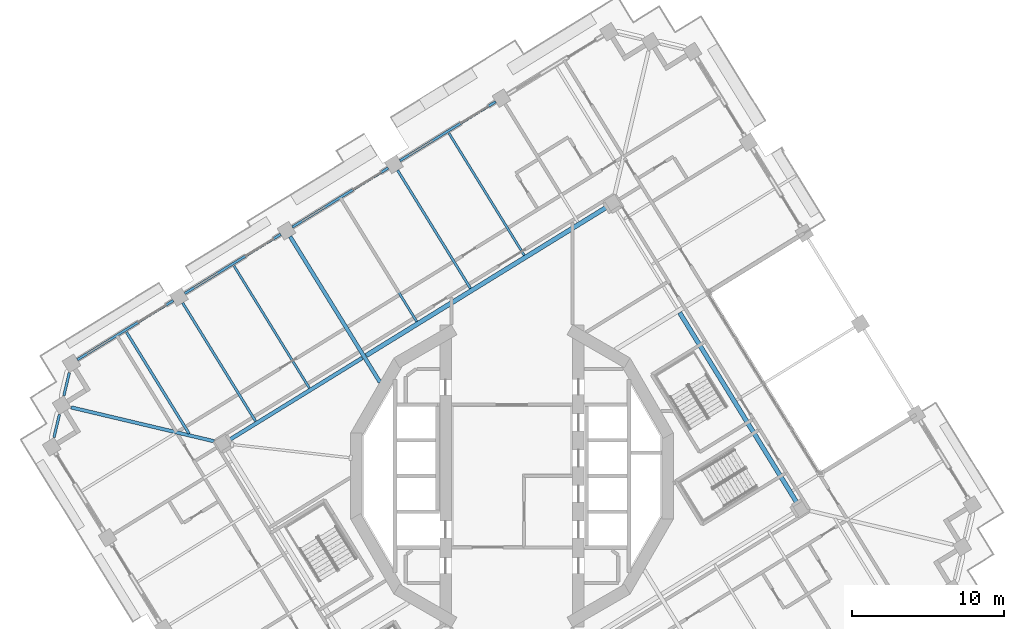
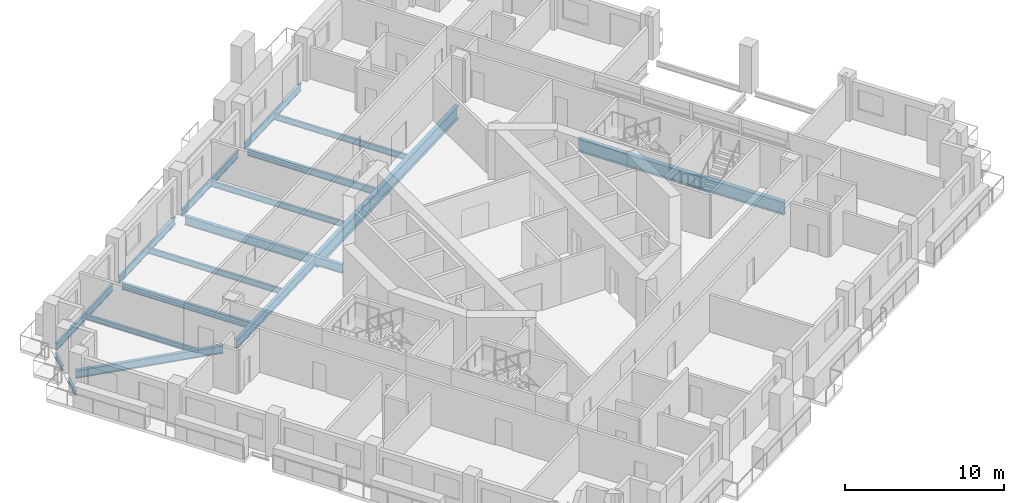
# One storey, part 3 of 21: 17 beams.
"""IFC4 building model written with IfcOpenShell, lengths in metres."""

from ifc_helpers import new_model, si_unit, direction, frame, origin, origin_2d, place, context, subcontext, project, spatial, i_section, extrude, material, material_profile, profile_set, type_object, element, save


model = new_model("IFC4")

# Units and contexts
model_context = context("Model", 3, precision=1e-05, world=origin(), true_north=direction((0.0, 1.0)))
body_context = subcontext(model_context, "Body", "Model", "MODEL_VIEW")
ifc_project = project(units=[si_unit("LENGTHUNIT", "METRE"), si_unit("AREAUNIT", "SQUARE_METRE"), si_unit("VOLUMEUNIT", "CUBIC_METRE"), si_unit("PLANEANGLEUNIT", "RADIAN"), si_unit("MASSUNIT", "GRAM", prefix="KILO")], contexts=[model_context])

# Site, building, storey
site_placement = place(None, origin())
site = spatial("IfcSite", under=ifc_project, at=site_placement, CompositionType="ELEMENT")
building_placement = place(site_placement, origin())
building = spatial("IfcBuilding", under=site, at=building_placement, Name="Cantera Rosa Tower", CompositionType="ELEMENT")
storey_placement = place(building_placement, frame((0.0, 0.0, 185.60009765625)))
storey = spatial("IfcBuildingStorey", under=building, at=storey_placement, Name="L41", CompositionType="ELEMENT", Elevation=185.60009765625)

# Beams
ifc_material_1 = material(Name="Steel ASTM A992 (Fy 345 MPa)", Category="steel")
ifc_material_profile_1 = material_profile(ifc_material_1, i_section(OverallWidth=0.300048828125, OverallDepth=0.990966796875, WebThickness=0.0166015625, FlangeThickness=0.030517578125, FilletRadius=0.030029296875, at=origin_2d()), Name="W1000X272")
ifc_profile_set_1 = profile_set([ifc_material_profile_1], Name="Steel ASTM A992 (Fy 345 MPa)")
beam_type_1 = type_object("IfcBeamType", Name="STEEL BEAM W1000X272", PredefinedType="BEAM", material=ifc_profile_set_1)
beam_1_placement = place(storey_placement, frame((18.767822265625, -1.75927734375, -0.74560546875), z_axis=(-0.524974072618, 0.851118219215, 0.0), x_axis=(-0.851118219215, -0.524974072618, 0.0)))
element("IfcBeam", 1, at=beam_1_placement, inside=storey, type_object=beam_type_1, Name="RB-Z3-05 L41", PredefinedType="BEAM", context=body_context, shape_type="SweptSolid", body=[
    extrude(i_section(OverallWidth=0.300048828125, OverallDepth=0.990966796875, WebThickness=0.0166015625, FlangeThickness=0.030517578125, FilletRadius=0.030029296875, at=origin_2d()), origin(), (0.0, 0.0, 1.0), 14.7099609375),
])
ifc_material_2 = material(Name="Steel ASTM A992 (Fy 345 MPa)", Category="steel")
ifc_material_profile_2 = material_profile(ifc_material_2, i_section(OverallWidth=0.302001953125, OverallDepth=1.010009765625, WebThickness=0.02099609375, FlangeThickness=0.0400390625, FilletRadius=0.030029296875, at=origin_2d()), Name="W1000X350")
ifc_profile_set_2 = profile_set([ifc_material_profile_2], Name="Steel ASTM A992 (Fy 345 MPa)")
beam_type_2 = type_object("IfcBeamType", Name="STEEL BEAM W1000X350", PredefinedType="BEAM", material=ifc_profile_set_2)
beam_2_placement = place(storey_placement, frame((-9.607666015625, 7.93798828125, -0.755126953125), z_axis=(0.851118702028, 0.524973289852, 0.0), x_axis=(-0.524973289852, 0.851118702028, 0.0)))
element("IfcBeam", 2, at=beam_2_placement, inside=storey, type_object=beam_type_2, Name="RB-Z3-02 L41", PredefinedType="BEAM", context=body_context, shape_type="SweptSolid", body=[
    extrude(i_section(OverallWidth=0.302001953125, OverallDepth=1.010009765625, WebThickness=0.02099609375, FlangeThickness=0.0400390625, FilletRadius=0.030029296875, at=origin_2d()), origin(), (0.0, 0.0, 1.0), 18.610107421875),
])
ifc_material_3 = material(Name="Steel ASTM A992 (Fy 345 MPa)", Category="steel")
ifc_material_profile_3 = material_profile(ifc_material_3, i_section(OverallWidth=0.166015625, OverallDepth=0.528076171875, WebThickness=0.009765625, FlangeThickness=0.013671875, FilletRadius=0.0126953125, at=origin_2d()), Name="W530X74")
ifc_profile_set_3 = profile_set([ifc_material_profile_3], Name="Steel ASTM A992 (Fy 345 MPa)")
beam_type_3 = type_object("IfcBeamType", Name="STEEL BEAM W530X74", PredefinedType="BEAM", material=ifc_profile_set_3)
beam_3_placement = place(storey_placement, frame((-7.536376953125, 20.142578125, -0.51416015625), z_axis=(0.524965057427, -0.851123779764, 0.0), x_axis=(0.851123779764, 0.524965057427, 0.0)))
element("IfcBeam", 3, at=beam_3_placement, inside=storey, type_object=beam_type_3, Name="G-Z3-06 L41", PredefinedType="BEAM", context=body_context, shape_type="SweptSolid", body=[
    extrude(i_section(OverallWidth=0.166015625, OverallDepth=0.528076171875, WebThickness=0.009765625, FlangeThickness=0.013671875, FilletRadius=0.0126953125, at=origin_2d()), origin(), (0.0, 0.0, 1.0), 9.150146484375),
])
beam_4_placement = place(storey_placement, frame((-21.698974609375, 11.40673828125, -0.51416015625), z_axis=(0.524976979362, -0.851116426313, 0.0), x_axis=(0.851116426313, 0.524976979362, 0.0)))
element("IfcBeam", 4, at=beam_4_placement, inside=storey, type_object=beam_type_3, Name="G-Z3-08 L41", PredefinedType="BEAM", context=body_context, shape_type="SweptSolid", body=[
    extrude(i_section(OverallWidth=0.166015625, OverallDepth=0.528076171875, WebThickness=0.009765625, FlangeThickness=0.013671875, FilletRadius=0.0126953125, at=origin_2d()), origin(), (0.0, 0.0, 1.0), 9.14990234375),
])
ifc_material_4 = material(Name="Steel ASTM A992 (Fy 345 MPa)", Category="steel")
ifc_material_profile_4 = material_profile(ifc_material_4, i_section(OverallWidth=0.22802734375, OverallDepth=0.60205078125, WebThickness=0.010498046875, FlangeThickness=0.014892578125, FilletRadius=0.0126953125, at=origin_2d()), Name="W610X101")
ifc_profile_set_4 = profile_set([ifc_material_profile_4], Name="Steel ASTM A992 (Fy 345 MPa)")
beam_type_4 = type_object("IfcBeamType", Name="STEEL BEAM W610X101", PredefinedType="BEAM", material=ifc_profile_set_4)
beam_5_placement = place(storey_placement, frame((-29.049560546875, 4.523193359375, -0.551025390625), z_axis=(0.973043389436, -0.230622120091, 0.0), x_axis=(0.230622120091, 0.973043389436, 0.0)))
element("IfcBeam", 5, at=beam_5_placement, inside=storey, type_object=beam_type_4, Name="CB-Z3-02 L41", PredefinedType="BEAM", context=body_context, shape_type="SweptSolid", body=[
    extrude(i_section(OverallWidth=0.22802734375, OverallDepth=0.60205078125, WebThickness=0.010498046875, FlangeThickness=0.014892578125, FilletRadius=0.0126953125, at=origin_2d()), origin(), (0.0, 0.0, 1.0), 9.6875),
])
ifc_material_5 = material(Name="Steel ASTM A992 (Fy 345 MPa)", Category="steel")
ifc_material_profile_5 = material_profile(ifc_material_5, i_section(OverallWidth=0.25390625, OverallDepth=0.677978515625, WebThickness=0.01171875, FlangeThickness=0.016357421875, FilletRadius=0.01513671875, at=origin_2d()), Name="W690X125")
ifc_profile_set_5 = profile_set([ifc_material_profile_5], Name="Steel ASTM A992 (Fy 345 MPa)")
beam_type_5 = type_object("IfcBeamType", Name="STEEL BEAM W690X125", PredefinedType="BEAM", material=ifc_profile_set_5)
beam_6_placement = place(storey_placement, frame((-14.61767578125, 15.774658203125, -0.589111328125), z_axis=(0.524984160378, -0.85111199695, 0.0), x_axis=(0.85111199695, 0.524984160378, 0.0)))
element("IfcBeam", 6, at=beam_6_placement, inside=storey, type_object=beam_type_5, Name="G-Z3-07 L41", PredefinedType="BEAM", context=body_context, shape_type="SweptSolid", body=[
    extrude(i_section(OverallWidth=0.25390625, OverallDepth=0.677978515625, WebThickness=0.01171875, FlangeThickness=0.016357421875, FilletRadius=0.01513671875, at=origin_2d()), origin(), (0.0, 0.0, 1.0), 11.271728515625),
])
beam_7_placement = place(storey_placement, frame((-18.62109375, 2.37841796875, -0.589111328125), z_axis=(0.851114508358, 0.524980088825, 0.0), x_axis=(-0.524980088825, 0.851114508358, 0.0)))
element("IfcBeam", 7, at=beam_7_placement, inside=storey, type_object=beam_type_5, Name="RB-Z3-01 L41", PredefinedType="BEAM", context=body_context, shape_type="SweptSolid", body=[
    extrude(i_section(OverallWidth=0.25390625, OverallDepth=0.677978515625, WebThickness=0.01171875, FlangeThickness=0.016357421875, FilletRadius=0.01513671875, at=origin_2d()), origin(), (0.0, 0.0, 1.0), 10.2900390625),
])
ifc_material_6 = material(Name="Steel ASTM A992 (Fy 345 MPa)", Category="steel")
ifc_material_profile_6 = material_profile(ifc_material_6, i_section(OverallWidth=0.177978515625, OverallDepth=0.406005859375, WebThickness=0.0078125, FlangeThickness=0.0126953125, FilletRadius=0.01025390625, at=origin_2d()), Name="W410X60")
ifc_profile_set_6 = profile_set([ifc_material_profile_6], Name="Steel ASTM A992 (Fy 345 MPa)")
beam_type_6 = type_object("IfcBeamType", Name="STEEL JOIST W410X60", PredefinedType="JOIST", material=ifc_profile_set_6)
beam_8_placement = place(storey_placement, frame((-25.39697265625, 9.478271484375, -0.453125), z_axis=(0.524972339906, -0.851119287958, 0.0), x_axis=(0.851119287958, 0.524972339906, 0.0)))
element("IfcBeam", 8, at=beam_8_placement, inside=storey, type_object=beam_type_6, Name="B-Z3-10 L41", PredefinedType="JOIST", context=body_context, shape_type="SweptSolid", body=[
    extrude(i_section(OverallWidth=0.177978515625, OverallDepth=0.406005859375, WebThickness=0.0078125, FlangeThickness=0.0126953125, FilletRadius=0.01025390625, at=origin_2d()), origin(), (0.0, 0.0, 1.0), 7.85986328125),
])
ifc_material_7 = material(Name="Steel ASTM A992 (Fy 345 MPa)", Category="steel")
ifc_material_profile_7 = material_profile(ifc_material_7, i_section(OverallWidth=0.154052734375, OverallDepth=0.4599609375, WebThickness=0.009033203125, FlangeThickness=0.015380859375, FilletRadius=0.01025390625, at=origin_2d()), Name="W460X68")
ifc_profile_set_7 = profile_set([ifc_material_profile_7], Name="Steel ASTM A992 (Fy 345 MPa)")
beam_type_7 = type_object("IfcBeamType", Name="STEEL JOIST W460X68", PredefinedType="JOIST", material=ifc_profile_set_7)
beam_9_placement = place(storey_placement, frame((-4.1533203125, 22.581787109375, -0.47998046875), z_axis=(0.524980724235, -0.851114116427, 0.0), x_axis=(0.851114116427, 0.524980724235, 0.0)))
element("IfcBeam", 9, at=beam_9_placement, inside=storey, type_object=beam_type_7, Name="B-Z3-07 L41", PredefinedType="JOIST", context=body_context, shape_type="SweptSolid", body=[
    extrude(i_section(OverallWidth=0.154052734375, OverallDepth=0.4599609375, WebThickness=0.009033203125, FlangeThickness=0.015380859375, FilletRadius=0.01025390625, at=origin_2d()), origin(), (0.0, 0.0, 1.0), 9.4501953125),
])
beam_10_placement = place(storey_placement, frame((-11.234619140625, 18.2138671875, -0.47998046875), z_axis=(0.524992267726, -0.85110699611, 0.0), x_axis=(0.85110699611, 0.524992267726, 0.0)))
element("IfcBeam", 10, at=beam_10_placement, inside=storey, type_object=beam_type_7, Name="B-Z3-08 L41", PredefinedType="JOIST", context=body_context, shape_type="SweptSolid", body=[
    extrude(i_section(OverallWidth=0.154052734375, OverallDepth=0.4599609375, WebThickness=0.009033203125, FlangeThickness=0.015380859375, FilletRadius=0.01025390625, at=origin_2d()), origin(), (0.0, 0.0, 1.0), 9.449951171875),
])
beam_11_placement = place(storey_placement, frame((-18.315673828125, 13.84619140625, -0.47998046875), z_axis=(0.524962009542, -0.851125659663, 0.0), x_axis=(0.851125659663, 0.524962009542, 0.0)))
element("IfcBeam", 11, at=beam_11_placement, inside=storey, type_object=beam_type_7, Name="B-Z3-09 L41", PredefinedType="JOIST", context=body_context, shape_type="SweptSolid", body=[
    extrude(i_section(OverallWidth=0.154052734375, OverallDepth=0.4599609375, WebThickness=0.009033203125, FlangeThickness=0.015380859375, FilletRadius=0.01025390625, at=origin_2d()), origin(), (0.0, 0.0, 1.0), 9.4501953125),
])
ifc_material_8 = material(Name="Steel ASTM A992 (Fy 345 MPa)", Category="steel")
ifc_material_profile_8 = material_profile(ifc_material_8, i_section(OverallWidth=0.1708984375, OverallDepth=0.35595703125, WebThickness=0.00732421875, FlangeThickness=0.01171875, FilletRadius=0.010009765625, at=origin_2d()), Name="W360X51")
ifc_profile_set_8 = profile_set([ifc_material_profile_8], Name="Steel ASTM A992 (Fy 345 MPa)")
beam_type_8 = type_object("IfcBeamType", Name="STEEL SPANDREL BEAM W360X51", PredefinedType="SPANDREL", material=ifc_profile_set_8)
for number, where, z_axis, x_axis, name in (
    (12, (-29.163330078125, 6.802734375, -0.427978515625), (-0.230552419793, -0.973059906546, 0.0), (0.973059906546, -0.230552419793, 0.0), "EB-Z3-13 L41"),
    (13, (-29.8154296875, 4.050537109375, -0.427978515625), (-0.230701014544, -0.973024687194, 0.0), (0.973024687194, -0.230701014544, 0.0), "EB-Z3-14 L41"),
):
    element("IfcBeam", number, at=place(storey_placement, frame(where, z_axis=z_axis, x_axis=x_axis)), inside=storey, type_object=beam_type_8, Name=name, PredefinedType="SPANDREL", context=body_context, shape_type="SweptSolid", body=[
        extrude(i_section(OverallWidth=0.1708984375, OverallDepth=0.35595703125, WebThickness=0.00732421875, FlangeThickness=0.01171875, FilletRadius=0.010009765625, at=origin_2d()), origin(), (0.0, 0.0, 1.0), 1.5556640625),
    ])
ifc_material_9 = material(Name="Steel ASTM A992 (Fy 345 MPa)", Category="steel")
ifc_material_profile_9 = material_profile(ifc_material_9, i_section(OverallWidth=0.166015625, OverallDepth=0.528076171875, WebThickness=0.009765625, FlangeThickness=0.013671875, FilletRadius=0.0126953125, at=origin_2d()), Name="W530X74")
ifc_profile_set_9 = profile_set([ifc_material_profile_9], Name="Steel ASTM A992 (Fy 345 MPa)")
beam_type_9 = type_object("IfcBeamType", Name="STEEL SPANDREL BEAM W530X74", PredefinedType="SPANDREL", material=ifc_profile_set_9)
for number, where, z_axis, x_axis, name in (
    (14, (-1.07421875, 24.656982421875, -0.51416015625), (-0.85112578684, -0.524961803349, 0.0), (0.524961803349, -0.85112578684, 0.0), "EB-Z3-09 L41"),
    (15, (-8.155517578125, 20.289306640625, -0.51416015625), (-0.851111085575, -0.524985637909, 0.0), (0.524985637909, -0.851111085575, 0.0), "EB-Z3-10 L41"),
    (16, (-15.23681640625, 15.92138671875, -0.51416015625), (-0.85112578684, -0.524961803349, 0.0), (0.524961803349, -0.85112578684, 0.0), "EB-Z3-11 L41"),
    (17, (-22.318115234375, 11.5537109375, -0.51416015625), (-0.851111085575, -0.524985637909, 0.0), (0.524985637909, -0.851111085575, 0.0), "EB-Z3-12 L41"),
):
    element("IfcBeam", number, at=place(storey_placement, frame(where, z_axis=z_axis, x_axis=x_axis)), inside=storey, type_object=beam_type_9, Name=name, PredefinedType="SPANDREL", context=body_context, shape_type="SweptSolid", body=[
        extrude(i_section(OverallWidth=0.166015625, OverallDepth=0.528076171875, WebThickness=0.009765625, FlangeThickness=0.013671875, FilletRadius=0.0126953125, at=origin_2d()), origin(), (0.0, 0.0, 1.0), 7.420166015625),
    ])

save(model, "model.ifc")
